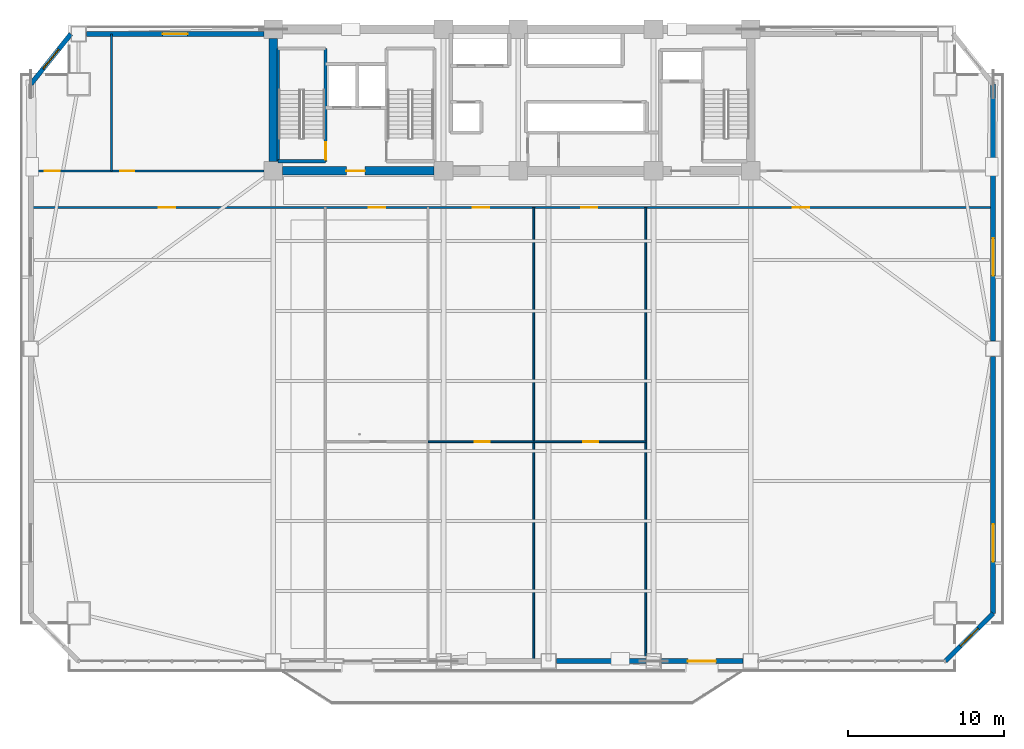
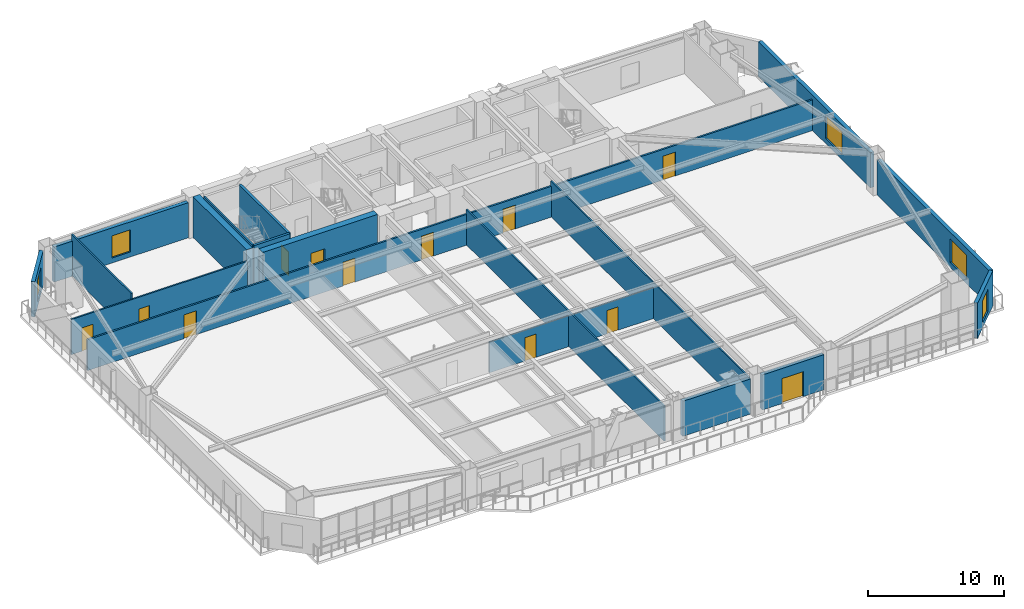
# One storey, part 8 of 16: 19 walls, 12 doors, 5 windows, 17 openings.
"""IFC4 building model written with IfcOpenShell, lengths in metres."""

from ifc_helpers import new_model, si_unit, direction, frame, frame_2d, origin, place, context, subcontext, project, spatial, rectangle, extrude, source, transform, mapped, material, layer, layer_set, type_object, element, fill, save


model = new_model("IFC4")

# Units and contexts
model_context = context("Model", 3, precision=1e-05, world=origin(), true_north=direction((0.0, 1.0)))
body_context = subcontext(model_context, "Body", "Model", "MODEL_VIEW")
ifc_project = project(units=[si_unit("LENGTHUNIT", "METRE"), si_unit("AREAUNIT", "SQUARE_METRE"), si_unit("VOLUMEUNIT", "CUBIC_METRE"), si_unit("PLANEANGLEUNIT", "RADIAN"), si_unit("MASSUNIT", "GRAM", prefix="KILO")], contexts=[model_context])

# Site, building, storey
site_placement = place(None, origin())
site = spatial("IfcSite", under=ifc_project, at=site_placement, CompositionType="ELEMENT")
building_placement = place(site_placement, origin())
building = spatial("IfcBuilding", under=site, at=building_placement, Name="Giltprow Tower", CompositionType="ELEMENT")
storey_placement = place(building_placement, frame((0.0, 0.0, 87.39990234375)))
storey = spatial("IfcBuildingStorey", under=building, at=storey_placement, Name="L21", CompositionType="ELEMENT", Elevation=87.39990234375)

# Wall, opening, window
ifc_material_1 = material(Name="Precast concrete C40", Category="concrete")
ifc_layer_1 = layer(ifc_material_1, 0.300048828125, Name="Precast concrete C40")
ifc_layer_set_1 = layer_set([ifc_layer_1], Name="Precast concrete C40")
wall_type_1 = type_object("IfcWallType", Name="EW-NOTCH-CHAMFER-300", PredefinedType="SOLIDWALL", material=ifc_layer_set_1)
wall_1_placement = place(storey_placement, frame((63.055908203125, 5.93603515625, 0.0), z_axis=(0.0, 0.0, 1.0), x_axis=(0.707106781187, 0.707106781187, 0.0)))
wall_1 = element("IfcWall", 1, at=wall_1_placement, inside=storey, type_object=wall_type_1, Name="L21 Corner Notch Wall SE", PredefinedType="SOLIDWALL", context=body_context, shape_type="SweptSolid", body=[
    extrude(rectangle(XDim=4.341796875, YDim=0.300048828125, at=frame_2d((2.1708984375, 0.0))), origin(), (0.0, 0.0, 1.0), 3.16015625),
])
opening_1_placement = place(wall_1_placement, frame((1.37109375, 0.0, 0.449951171875)))
opening_1 = element("IfcOpeningElement", 2, at=opening_1_placement, cuts=wall_1, Name="Opening WN17", PredefinedType="OPENING", context=body_context, shape_type="SweptSolid", body=[
    extrude(rectangle(XDim=1.60009765625, YDim=2.0, at=frame_2d((0.800048828125, 1.0))), frame((0.0, 0.159912109375, 0.0), z_axis=(0.0, -1.0, 0.0), x_axis=(1.0, 0.0, 0.0)), (0.0, 0.0, 1.0), 0.320068359375),
])
ifc_material_2 = material(Name="Insulated glass", Category="glass")
window_type_1 = type_object("IfcWindowType", Name="WN-COR-1600x2000", PartitioningType="SINGLE_PANEL", PredefinedType="WINDOW", material=ifc_material_2)
shared_shape_1 = source(origin(), body_context, "Body", "SweptSolid", [
    extrude(rectangle(XDim=1.60009765625, YDim=2.0, at=frame_2d((0.800048828125, 1.0))), frame((0.0, 0.030029296875, 0.0), z_axis=(0.0, -1.0, 0.0), x_axis=(1.0, 0.0, 0.0)), (0.0, 0.0, 1.0), 0.06005859375),
])
window_1_placement = place(opening_1_placement, origin())
window_1 = element("IfcWindow", 3, at=window_1_placement, inside=storey, type_object=window_type_1, Name="L21 Corner Notch Window SE", OverallHeight=2.0, OverallWidth=1.60009765625, PartitioningType="SINGLE_PANEL", PredefinedType="WINDOW", context=body_context, shape_type="MappedRepresentation", body=[
    mapped(shared_shape_1, transform((0.0, 0.0, 0.0), x_axis=(1.0, 0.0, 0.0), y_axis=(0.0, 1.0, 0.0), z_axis=(0.0, 0.0, 1.0), scale=1.0)),
])
fill(opening_1, window_1)

wall_2_placement = place(storey_placement, frame((6.844970703125, 46.25, 0.0), z_axis=(0.0, 0.0, 1.0), x_axis=(-0.623820223262, -0.781567865926, 0.0)))
wall_2 = element("IfcWall", 4, at=wall_2_placement, inside=storey, type_object=wall_type_1, Name="L21 Corner Notch Wall NW", PredefinedType="SOLIDWALL", context=body_context, shape_type="SweptSolid", body=[
    extrude(rectangle(XDim=4.119873046875, YDim=0.300048828125, at=frame_2d((2.06005859375, 0.0))), origin(), (0.0, 0.0, 1.0), 3.16015625),
])
opening_2_placement = place(wall_2_placement, frame((1.260009765625, 0.0, 0.449951171875)))
opening_2 = element("IfcOpeningElement", 5, at=opening_2_placement, cuts=wall_2, Name="Opening WN17", PredefinedType="OPENING", context=body_context, shape_type="SweptSolid", body=[
    extrude(rectangle(XDim=1.60009765625, YDim=2.0, at=frame_2d((0.800048828125, 1.0))), frame((0.0, 0.159912109375, 0.0), z_axis=(0.0, -1.0, 0.0), x_axis=(1.0, 0.0, 0.0)), (0.0, 0.0, 1.0), 0.320068359375),
])
window_2_placement = place(opening_2_placement, origin())
window_2 = element("IfcWindow", 6, at=window_2_placement, inside=storey, type_object=window_type_1, Name="L21 Corner Notch Window NW", OverallHeight=2.0, OverallWidth=1.60009765625, PartitioningType="SINGLE_PANEL", PredefinedType="WINDOW", context=body_context, shape_type="MappedRepresentation", body=[
    mapped(shared_shape_1, transform((0.0, 0.0, 0.0), x_axis=(1.0, 0.0, 0.0), y_axis=(0.0, 1.0, 0.0), z_axis=(0.0, 0.0, 1.0), scale=1.0)),
])
fill(opening_2, window_2)

# Wall
ifc_layer_2 = layer(ifc_material_1, 0.320068359375, Name="Precast concrete C40")
ifc_layer_set_2 = layer_set([ifc_layer_2], Name="Precast concrete C40")
wall_type_2 = type_object("IfcWallType", Name="EW-TOW-STONE-320", PredefinedType="SOLIDWALL", material=ifc_layer_set_2)
wall_3_placement = place(storey_placement, frame((38.050048828125, 5.93603515625, 0.0), z_axis=(0.0, 0.0, 1.0), x_axis=(1.0, 0.0, 0.0)))
element("IfcWall", 7, at=wall_3_placement, inside=storey, type_object=wall_type_2, Name="L21 South Expressed Frame Wall 4", PredefinedType="SOLIDWALL", context=body_context, shape_type="SweptSolid", body=[
    extrude(rectangle(XDim=5.75, YDim=0.320068359375, at=frame_2d((2.875, 0.0))), origin(), (0.0, 0.0, 1.0), 3.16015625),
])

# Wall, opening, door
wall_4_placement = place(storey_placement, frame((44.800048828125, 5.93603515625, 0.0), z_axis=(0.0, 0.0, 1.0), x_axis=(1.0, 0.0, 0.0)))
wall_4 = element("IfcWall", 8, at=wall_4_placement, inside=storey, type_object=wall_type_2, Name="L21 South Expressed Frame Wall 5", PredefinedType="SOLIDWALL", context=body_context, shape_type="SweptSolid", body=[
    extrude(rectangle(XDim=5.25, YDim=0.320068359375, at=frame_2d((2.625, 0.0))), origin(), (0.0, 0.0, 1.0), 3.16015625),
])
opening_3_placement = place(wall_4_placement, frame((1.699951171875, 0.0, 0.0)))
opening_3 = element("IfcOpeningElement", 9, at=opening_3_placement, cuts=wall_4, Name="Opening ED25", PredefinedType="OPENING", context=body_context, shape_type="SweptSolid", body=[
    extrude(rectangle(XDim=1.800048828125, YDim=2.25, at=frame_2d((0.89990234375, 1.125))), frame((0.0, 0.169921875, 0.0), z_axis=(0.0, -1.0, 0.0), x_axis=(1.0, 0.0, 0.0)), (0.0, 0.0, 1.0), 0.340087890625),
])
ifc_material_3 = material(Name="Anodized bronze and glass", Category="glass")
door_type_1 = type_object("IfcDoorType", Name="DR-BALC-SLIDE-1800", OperationType="SLIDING_TO_LEFT", PredefinedType="DOOR", material=ifc_material_3)
shared_shape_2 = source(origin(), body_context, "Body", "SweptSolid", [
    extrude(rectangle(XDim=1.800048828125, YDim=2.25, at=frame_2d((0.89990234375, 1.125))), frame((0.0, 0.02490234375, 0.0), z_axis=(0.0, -1.0, 0.0), x_axis=(1.0, 0.0, 0.0)), (0.0, 0.0, 1.0), 0.050048828125),
])
door_1_placement = place(opening_3_placement, origin())
door_1 = element("IfcDoor", 10, at=door_1_placement, inside=storey, type_object=door_type_1, Name="L21 Waterfront Balcony Sliding Door 2", OperationType="SLIDING_TO_LEFT", OverallHeight=2.25, OverallWidth=1.800048828125, PredefinedType="DOOR", context=body_context, shape_type="MappedRepresentation", body=[
    mapped(shared_shape_2, transform((0.0, 0.0, 0.0), x_axis=(1.0, 0.0, 0.0), y_axis=(0.0, 1.0, 0.0), z_axis=(0.0, 0.0, 1.0), scale=1.0)),
])
fill(opening_3, door_1)

# Wall, opening, window
wall_5_placement = place(storey_placement, frame((66.1259765625, 9.006103515625, 0.0), z_axis=(0.0, 0.0, 1.0), x_axis=(0.0, 1.0, 0.0)))
wall_5 = element("IfcWall", 11, at=wall_5_placement, inside=storey, type_object=wall_type_2, Name="L21 E Wing Masonry Wall 1", PredefinedType="SOLIDWALL", context=body_context, shape_type="SweptSolid", body=[
    extrude(rectangle(XDim=16.511962890625, YDim=0.320068359375, at=frame_2d((8.255859375, 0.0))), origin(), (0.0, 0.0, 1.0), 3.16015625),
])
opening_4_placement = place(wall_5_placement, frame((3.3330078125, 0.0, 0.449951171875)))
opening_4 = element("IfcOpeningElement", 12, at=opening_4_placement, cuts=wall_5, Name="Opening WN29", PredefinedType="OPENING", context=body_context, shape_type="SweptSolid", body=[
    extrude(rectangle(XDim=2.39990234375, YDim=2.10009765625, at=frame_2d((1.199951171875, 1.050048828125))), frame((0.0, 0.169921875, 0.0), z_axis=(0.0, -1.0, 0.0), x_axis=(1.0, 0.0, 0.0)), (0.0, 0.0, 1.0), 0.340087890625),
])
window_type_2 = type_object("IfcWindowType", Name="WN-OFF-2400x2100", PartitioningType="DOUBLE_PANEL_VERTICAL", PredefinedType="WINDOW", material=ifc_material_2)
shared_shape_3 = source(origin(), body_context, "Body", "SweptSolid", [
    extrude(rectangle(XDim=2.39990234375, YDim=2.10009765625, at=frame_2d((1.199951171875, 1.050048828125))), frame((0.0, 0.030029296875, 0.0), z_axis=(0.0, -1.0, 0.0), x_axis=(1.0, 0.0, 0.0)), (0.0, 0.0, 1.0), 0.06005859375),
])
window_3_placement = place(opening_4_placement, origin())
window_3 = element("IfcWindow", 13, at=window_3_placement, inside=storey, type_object=window_type_2, Name="L21 E Wing Window 1-1A", OverallHeight=2.10009765625, OverallWidth=2.39990234375, PartitioningType="SINGLE_PANEL", PredefinedType="WINDOW", context=body_context, shape_type="MappedRepresentation", body=[
    mapped(shared_shape_3, transform((0.0, 0.0, 0.0), x_axis=(1.0, 0.0, 0.0), y_axis=(0.0, 1.0, 0.0), z_axis=(0.0, 0.0, 1.0), scale=1.0)),
])
fill(opening_4, window_3)

wall_6_placement = place(storey_placement, frame((66.1259765625, 26.51806640625, 0.0), z_axis=(0.0, 0.0, 1.0), x_axis=(0.0, 1.0, 0.0)))
wall_6 = element("IfcWall", 14, at=wall_6_placement, inside=storey, type_object=wall_type_2, Name="L21 E Wing Masonry Wall 2", PredefinedType="SOLIDWALL", context=body_context, shape_type="SweptSolid", body=[
    extrude(rectangle(XDim=16.511962890625, YDim=0.320068359375, at=frame_2d((8.255859375, 0.0))), origin(), (0.0, 0.0, 1.0), 3.16015625),
])
opening_5_placement = place(wall_6_placement, frame((4.200927734375, 0.0, 0.449951171875)))
opening_5 = element("IfcOpeningElement", 15, at=opening_5_placement, cuts=wall_6, Name="Opening WN29", PredefinedType="OPENING", context=body_context, shape_type="SweptSolid", body=[
    extrude(rectangle(XDim=2.39990234375, YDim=2.10009765625, at=frame_2d((1.199951171875, 1.050048828125))), frame((0.0, 0.169921875, 0.0), z_axis=(0.0, -1.0, 0.0), x_axis=(1.0, 0.0, 0.0)), (0.0, 0.0, 1.0), 0.340087890625),
])
window_4_placement = place(opening_5_placement, origin())
window_4 = element("IfcWindow", 16, at=window_4_placement, inside=storey, type_object=window_type_2, Name="L21 E Wing Window 2-1", OverallHeight=2.10009765625, OverallWidth=2.39990234375, PartitioningType="SINGLE_PANEL", PredefinedType="WINDOW", context=body_context, shape_type="MappedRepresentation", body=[
    mapped(shared_shape_3, transform((0.0, 0.0, 0.0), x_axis=(1.0, 0.0, 0.0), y_axis=(0.0, 1.0, 0.0), z_axis=(0.0, 0.0, 1.0), scale=1.0)),
])
fill(opening_5, window_4)

wall_7_placement = place(storey_placement, frame((7.844970703125, 46.25, 0.0), z_axis=(0.0, 0.0, 1.0), x_axis=(1.0, 0.0, 0.0)))
wall_7 = element("IfcWall", 17, at=wall_7_placement, inside=storey, type_object=wall_type_2, Name="L21 North-West Wing Wall", PredefinedType="SOLIDWALL", context=body_context, shape_type="SweptSolid", body=[
    extrude(rectangle(XDim=11.405029296875, YDim=0.320068359375, at=frame_2d((5.70263671875, 0.0))), origin(), (0.0, 0.0, 1.0), 3.16015625),
])
opening_6_placement = place(wall_7_placement, frame((4.903076171875, 0.0, 0.449951171875)))
opening_6 = element("IfcOpeningElement", 18, at=opening_6_placement, cuts=wall_7, Name="Opening WN17", PredefinedType="OPENING", context=body_context, shape_type="SweptSolid", body=[
    extrude(rectangle(XDim=1.60009765625, YDim=2.0, at=frame_2d((0.800048828125, 1.0))), frame((0.0, 0.169921875, 0.0), z_axis=(0.0, -1.0, 0.0), x_axis=(1.0, 0.0, 0.0)), (0.0, 0.0, 1.0), 0.340087890625),
])
window_5_placement = place(opening_6_placement, origin())
window_5 = element("IfcWindow", 19, at=window_5_placement, inside=storey, type_object=window_type_1, Name="L21 North-West Window", OverallHeight=2.0, OverallWidth=1.60009765625, PartitioningType="SINGLE_PANEL", PredefinedType="WINDOW", context=body_context, shape_type="MappedRepresentation", body=[
    mapped(shared_shape_1, transform((0.0, 0.0, 0.0), x_axis=(1.0, 0.0, 0.0), y_axis=(0.0, 1.0, 0.0), z_axis=(0.0, 0.0, 1.0), scale=1.0)),
])
fill(opening_6, window_5)

# Wall, openings, doors
ifc_material_4 = material(Name="Gypsum stud partition", Category="gypsum")
ifc_layer_3 = layer(ifc_material_4, 0.14990234375, Name="Gypsum stud partition")
ifc_layer_set_3 = layer_set([ifc_layer_3], Name="Gypsum stud partition")
wall_type_3 = type_object("IfcWallType", Name="IW-CORR-150", PredefinedType="PARTITIONING", material=ifc_layer_set_3)
wall_8_placement = place(storey_placement, frame((4.27490234375, 35.10009765625, 0.0), z_axis=(0.0, 0.0, 1.0), x_axis=(1.0, 0.0, 0.0)))
wall_8 = element("IfcWall", 20, at=wall_8_placement, inside=storey, type_object=wall_type_3, Name="L21 Office Loop Corridor Wall", PredefinedType="PARTITIONING", context=body_context, shape_type="SweptSolid", body=[
    extrude(rectangle(XDim=61.85107421875, YDim=0.14990234375, at=frame_2d((30.925537109375, 0.0))), origin(), (0.0, 0.0, 1.0), 2.76513671875),
])
opening_7_placement = place(wall_8_placement, frame((8.22705078125, 0.0, 0.0)))
opening_7 = element("IfcOpeningElement", 21, at=opening_7_placement, cuts=wall_8, Name="Opening ID31", PredefinedType="OPENING", context=body_context, shape_type="SweptSolid", body=[
    extrude(rectangle(XDim=1.050048828125, YDim=2.14990234375, at=frame_2d((0.52490234375, 1.074951171875))), frame((0.0, 0.0849609375, 0.0), z_axis=(0.0, -1.0, 0.0), x_axis=(1.0, 0.0, 0.0)), (0.0, 0.0, 1.0), 0.169921875),
])
opening_8_placement = place(wall_8_placement, frame((21.73095703125, 0.0, 0.0)))
opening_8 = element("IfcOpeningElement", 22, at=opening_8_placement, cuts=wall_8, Name="Opening ID31", PredefinedType="OPENING", context=body_context, shape_type="SweptSolid", body=[
    extrude(rectangle(XDim=1.050048828125, YDim=2.14990234375, at=frame_2d((0.52490234375, 1.074951171875))), frame((0.0, 0.0849609375, 0.0), z_axis=(0.0, -1.0, 0.0), x_axis=(1.0, 0.0, 0.0)), (0.0, 0.0, 1.0), 0.169921875),
])
opening_9_placement = place(wall_8_placement, frame((28.410888671875, 0.0, 0.0)))
opening_9 = element("IfcOpeningElement", 23, at=opening_9_placement, cuts=wall_8, Name="Opening ID31", PredefinedType="OPENING", context=body_context, shape_type="SweptSolid", body=[
    extrude(rectangle(XDim=1.050048828125, YDim=2.14990234375, at=frame_2d((0.52490234375, 1.074951171875))), frame((0.0, 0.0849609375, 0.0), z_axis=(0.0, -1.0, 0.0), x_axis=(1.0, 0.0, 0.0)), (0.0, 0.0, 1.0), 0.169921875),
])
opening_10_placement = place(wall_8_placement, frame((35.37109375, 0.0, 0.0)))
opening_10 = element("IfcOpeningElement", 24, at=opening_10_placement, cuts=wall_8, Name="Opening ID31", PredefinedType="OPENING", context=body_context, shape_type="SweptSolid", body=[
    extrude(rectangle(XDim=1.050048828125, YDim=2.14990234375, at=frame_2d((0.52490234375, 1.074951171875))), frame((0.0, 0.0849609375, 0.0), z_axis=(0.0, -1.0, 0.0), x_axis=(1.0, 0.0, 0.0)), (0.0, 0.0, 1.0), 0.169921875),
])
opening_11_placement = place(wall_8_placement, frame((48.98095703125, 0.0, 0.0)))
opening_11 = element("IfcOpeningElement", 25, at=opening_11_placement, cuts=wall_8, Name="Opening ID31", PredefinedType="OPENING", context=body_context, shape_type="SweptSolid", body=[
    extrude(rectangle(XDim=1.050048828125, YDim=2.14990234375, at=frame_2d((0.52490234375, 1.074951171875))), frame((0.0, 0.0849609375, 0.0), z_axis=(0.0, -1.0, 0.0), x_axis=(1.0, 0.0, 0.0)), (0.0, 0.0, 1.0), 0.169921875),
])
ifc_material_5 = material(Name="Engineered timber", Category="wood")
door_type_2 = type_object("IfcDoorType", Name="DR-SUITE-1050", OperationType="SINGLE_SWING_LEFT", PredefinedType="DOOR", material=ifc_material_5)
shared_shape_4 = source(origin(), body_context, "Body", "SweptSolid", [
    extrude(rectangle(XDim=1.050048828125, YDim=2.14990234375, at=frame_2d((0.52490234375, 1.074951171875))), frame((0.0, 0.02490234375, 0.0), z_axis=(0.0, -1.0, 0.0), x_axis=(1.0, 0.0, 0.0)), (0.0, 0.0, 1.0), 0.050048828125),
])
door_2_placement = place(opening_7_placement, origin())
door_2 = element("IfcDoor", 26, at=door_2_placement, inside=storey, type_object=door_type_2, Name="L21 Barista Test Kitchen 1 Door", OperationType="SINGLE_SWING_RIGHT", OverallHeight=2.14990234375, OverallWidth=1.050048828125, PredefinedType="DOOR", context=body_context, shape_type="MappedRepresentation", body=[
    mapped(shared_shape_4, transform((0.0, 0.0, 0.0), x_axis=(1.0, 0.0, 0.0), y_axis=(0.0, 1.0, 0.0), z_axis=(0.0, 0.0, 1.0), scale=1.0)),
])
fill(opening_7, door_2)
door_3_placement = place(opening_8_placement, origin())
door_3 = element("IfcDoor", 27, at=door_3_placement, inside=storey, type_object=door_type_2, Name="L21 Suite Reception Foyer Door", OperationType="SINGLE_SWING_LEFT", OverallHeight=2.14990234375, OverallWidth=1.050048828125, PredefinedType="DOOR", context=body_context, shape_type="MappedRepresentation", body=[
    mapped(shared_shape_4, transform((0.0, 0.0, 0.0), x_axis=(1.0, 0.0, 0.0), y_axis=(0.0, 1.0, 0.0), z_axis=(0.0, 0.0, 1.0), scale=1.0)),
])
fill(opening_8, door_3)
door_4_placement = place(opening_9_placement, origin())
door_4 = element("IfcDoor", 28, at=door_4_placement, inside=storey, type_object=door_type_2, Name="L21 Suite Reception Foyer Door", OperationType="SINGLE_SWING_LEFT", OverallHeight=2.14990234375, OverallWidth=1.050048828125, PredefinedType="DOOR", context=body_context, shape_type="MappedRepresentation", body=[
    mapped(shared_shape_4, transform((0.0, 0.0, 0.0), x_axis=(1.0, 0.0, 0.0), y_axis=(0.0, 1.0, 0.0), z_axis=(0.0, 0.0, 1.0), scale=1.0)),
])
fill(opening_9, door_4)
door_5_placement = place(opening_10_placement, origin())
door_5 = element("IfcDoor", 29, at=door_5_placement, inside=storey, type_object=door_type_2, Name="L21 Suite Reception Foyer Door", OperationType="SINGLE_SWING_LEFT", OverallHeight=2.14990234375, OverallWidth=1.050048828125, PredefinedType="DOOR", context=body_context, shape_type="MappedRepresentation", body=[
    mapped(shared_shape_4, transform((0.0, 0.0, 0.0), x_axis=(1.0, 0.0, 0.0), y_axis=(0.0, 1.0, 0.0), z_axis=(0.0, 0.0, 1.0), scale=1.0)),
])
fill(opening_10, door_5)
door_6_placement = place(opening_11_placement, origin())
door_6 = element("IfcDoor", 30, at=door_6_placement, inside=storey, type_object=door_type_2, Name="L21 Harbour Reading Lounge Door", OperationType="SINGLE_SWING_LEFT", OverallHeight=2.14990234375, OverallWidth=1.050048828125, PredefinedType="DOOR", context=body_context, shape_type="MappedRepresentation", body=[
    mapped(shared_shape_4, transform((0.0, 0.0, 0.0), x_axis=(1.0, 0.0, 0.0), y_axis=(0.0, 1.0, 0.0), z_axis=(0.0, 0.0, 1.0), scale=1.0)),
])
fill(opening_11, door_6)

# Wall, opening, door
ifc_layer_4 = layer(ifc_material_4, 0.1201171875, Name="Gypsum stud partition")
ifc_layer_set_4 = layer_set([ifc_layer_4], Name="Gypsum stud partition")
wall_type_4 = type_object("IfcWallType", Name="IW-ROOM-120", PredefinedType="PARTITIONING", material=ifc_layer_set_4)
wall_9_placement = place(storey_placement, frame((29.800048828125, 20.0390625, 0.0), z_axis=(0.0, 0.0, 1.0), x_axis=(1.0, 0.0, 0.0)))
wall_9 = element("IfcWall", 31, at=wall_9_placement, inside=storey, type_object=wall_type_4, Name="L21 Office Mid Wall 3", PredefinedType="PARTITIONING", context=body_context, shape_type="SweptSolid", body=[
    extrude(rectangle(XDim=6.800048828125, YDim=0.1201171875, at=frame_2d((3.39990234375, 0.0))), origin(), (0.0, 0.0, 1.0), 2.76513671875),
])
opening_12_placement = place(wall_9_placement, frame((3.01904296875, 0.0, 0.0)))
opening_12 = element("IfcOpeningElement", 32, at=opening_12_placement, cuts=wall_9, Name="Opening ID11", PredefinedType="OPENING", context=body_context, shape_type="SweptSolid", body=[
    extrude(rectangle(XDim=0.949951171875, YDim=2.10009765625, at=frame_2d((0.47509765625, 1.050048828125))), frame((0.0, 0.070068359375, 0.0), z_axis=(0.0, -1.0, 0.0), x_axis=(1.0, 0.0, 0.0)), (0.0, 0.0, 1.0), 0.14013671875),
])
door_type_3 = type_object("IfcDoorType", Name="DR-ROOM-950", OperationType="SINGLE_SWING_RIGHT", PredefinedType="DOOR", material=ifc_material_5)
shared_shape_5 = source(origin(), body_context, "Body", "SweptSolid", [
    extrude(rectangle(XDim=0.949951171875, YDim=2.10009765625, at=frame_2d((0.47509765625, 1.050048828125))), frame((0.0, 0.02490234375, 0.0), z_axis=(0.0, -1.0, 0.0), x_axis=(1.0, 0.0, 0.0)), (0.0, 0.0, 1.0), 0.050048828125),
])
door_7_placement = place(opening_12_placement, origin())
door_7 = element("IfcDoor", 33, at=door_7_placement, inside=storey, type_object=door_type_3, Name="L21 Pastry Tasting Kitchen 3 Inner Door", OperationType="SINGLE_SWING_RIGHT", OverallHeight=2.10009765625, OverallWidth=0.949951171875, PredefinedType="DOOR", context=body_context, shape_type="MappedRepresentation", body=[
    mapped(shared_shape_5, transform((0.0, 0.0, 0.0), x_axis=(1.0, 0.0, 0.0), y_axis=(0.0, 1.0, 0.0), z_axis=(0.0, 0.0, 1.0), scale=1.0)),
])
fill(opening_12, door_7)

# Wall
wall_10_placement = place(storey_placement, frame((36.60009765625, 5.93603515625, 0.0), z_axis=(0.0, 0.0, 1.0), x_axis=(0.0, 1.0, 0.0)))
element("IfcWall", 34, at=wall_10_placement, inside=storey, type_object=wall_type_4, Name="L21 Office Partition 3", PredefinedType="PARTITIONING", context=body_context, shape_type="SweptSolid", body=[
    extrude(rectangle(XDim=29.1640625, YDim=0.1201171875, at=frame_2d((14.58203125, 0.0))), origin(), (0.0, 0.0, 1.0), 3.1650390625),
])

# Wall, opening, door
wall_11_placement = place(storey_placement, frame((36.60009765625, 20.0390625, 0.0), z_axis=(0.0, 0.0, 1.0), x_axis=(1.0, 0.0, 0.0)))
wall_11 = element("IfcWall", 35, at=wall_11_placement, inside=storey, type_object=wall_type_4, Name="L21 Office Mid Wall 4", PredefinedType="PARTITIONING", context=body_context, shape_type="SweptSolid", body=[
    extrude(rectangle(XDim=7.199951171875, YDim=0.1201171875, at=frame_2d((3.60009765625, 0.0))), origin(), (0.0, 0.0, 1.0), 2.76513671875),
])
opening_13_placement = place(wall_11_placement, frame((3.18701171875, 0.0, 0.0)))
opening_13 = element("IfcOpeningElement", 36, at=opening_13_placement, cuts=wall_11, Name="Opening ID11", PredefinedType="OPENING", context=body_context, shape_type="SweptSolid", body=[
    extrude(rectangle(XDim=0.949951171875, YDim=2.10009765625, at=frame_2d((0.47509765625, 1.050048828125))), frame((0.0, 0.070068359375, 0.0), z_axis=(0.0, -1.0, 0.0), x_axis=(1.0, 0.0, 0.0)), (0.0, 0.0, 1.0), 0.14013671875),
])
door_8_placement = place(opening_13_placement, origin())
door_8 = element("IfcDoor", 37, at=door_8_placement, inside=storey, type_object=door_type_3, Name="L21 Tea Ceremony Kitchen 4 Inner Door", OperationType="SINGLE_SWING_RIGHT", OverallHeight=2.10009765625, OverallWidth=0.949951171875, PredefinedType="DOOR", context=body_context, shape_type="MappedRepresentation", body=[
    mapped(shared_shape_5, transform((0.0, 0.0, 0.0), x_axis=(1.0, 0.0, 0.0), y_axis=(0.0, 1.0, 0.0), z_axis=(0.0, 0.0, 1.0), scale=1.0)),
])
fill(opening_13, door_8)

# Walls
wall_12_placement = place(storey_placement, frame((43.800048828125, 5.93603515625, 0.0), z_axis=(0.0, 0.0, 1.0), x_axis=(0.0, 1.0, 0.0)))
element("IfcWall", 38, at=wall_12_placement, inside=storey, type_object=wall_type_4, Name="L21 Office Partition 4", PredefinedType="PARTITIONING", context=body_context, shape_type="SweptSolid", body=[
    extrude(rectangle(XDim=29.1640625, YDim=0.1201171875, at=frame_2d((14.58203125, 0.0))), origin(), (0.0, 0.0, 1.0), 3.215087890625),
])
ifc_material_6 = material(Name="Concrete C45", Category="concrete")
ifc_layer_5 = layer(ifc_material_6, 0.139892578125, Name="Concrete C45")
ifc_layer_set_5 = layer_set([ifc_layer_5], Name="Concrete C45")
wall_type_5 = type_object("IfcWallType", Name="IW-STAIR-140", PredefinedType="SOLIDWALL", material=ifc_layer_set_5)
wall_13_placement = place(storey_placement, frame((20.169921875, 38.070068359375, 0.0), z_axis=(0.0, 0.0, 1.0), x_axis=(0.0, 1.0, 0.0)))
element("IfcWall", 39, at=wall_13_placement, inside=storey, type_object=wall_type_5, Name="L21 Stair ST-1 West Bearing Wall", PredefinedType="SOLIDWALL", context=body_context, shape_type="SweptSolid", body=[
    extrude(rectangle(XDim=7.25, YDim=0.139892578125, at=frame_2d((3.625, 0.0))), origin(), (0.0, 0.0, 1.0), 3.900146484375),
])

# Wall, opening, door
ifc_material_7 = material(Name="Concrete C40", Category="concrete")
ifc_layer_6 = layer(ifc_material_7, 0.199951171875, Name="Concrete C40")
ifc_layer_set_6 = layer_set([ifc_layer_6], Name="Concrete C40")
wall_type_6 = type_object("IfcWallType", Name="IW-STAIR-200", PredefinedType="SOLIDWALL", material=ifc_layer_set_6)
wall_14_placement = place(storey_placement, frame((23.219970703125, 38.070068359375, 0.0), z_axis=(0.0, 0.0, 1.0), x_axis=(0.0, 1.0, 0.0)))
wall_14 = element("IfcWall", 40, at=wall_14_placement, inside=storey, type_object=wall_type_6, Name="L21 Stair ST-1 East Bearing Wall", PredefinedType="SOLIDWALL", context=body_context, shape_type="SweptSolid", body=[
    extrude(rectangle(XDim=7.25, YDim=0.199951171875, at=frame_2d((3.625, 0.0))), origin(), (0.0, 0.0, 1.0), 3.900146484375),
])
opening_14_placement = place(wall_14_placement, frame((0.110107421875, 0.0, 0.0)))
opening_14 = element("IfcOpeningElement", 41, at=opening_14_placement, cuts=wall_14, Name="Opening ID33", PredefinedType="OPENING", context=body_context, shape_type="SweptSolid", body=[
    extrude(rectangle(XDim=1.10009765625, YDim=2.14990234375, at=frame_2d((0.550048828125, 1.074951171875))), frame((0.0, 0.10986328125, 0.0), z_axis=(0.0, -1.0, 0.0), x_axis=(1.0, 0.0, 0.0)), (0.0, 0.0, 1.0), 0.219970703125),
])
ifc_material_8 = material(Name="Steel fire leaf", Category="steel")
door_type_4 = type_object("IfcDoorType", Name="DR-STAIR-1100", OperationType="SINGLE_SWING_LEFT", PredefinedType="DOOR", material=ifc_material_8)
shared_shape_6 = source(origin(), body_context, "Body", "SweptSolid", [
    extrude(rectangle(XDim=1.10009765625, YDim=2.14990234375, at=frame_2d((0.550048828125, 1.074951171875))), frame((0.0, 0.02490234375, 0.0), z_axis=(0.0, -1.0, 0.0), x_axis=(1.0, 0.0, 0.0)), (0.0, 0.0, 1.0), 0.050048828125),
])
door_9_placement = place(opening_14_placement, origin())
door_9 = element("IfcDoor", 42, at=door_9_placement, inside=storey, type_object=door_type_4, Name="L21 Stair ST-1 Fire Door", OperationType="SINGLE_SWING_LEFT", OverallHeight=2.14990234375, OverallWidth=1.10009765625, PredefinedType="DOOR", context=body_context, shape_type="MappedRepresentation", body=[
    mapped(shared_shape_6, transform((0.0, 0.0, 0.0), x_axis=(1.0, 0.0, 0.0), y_axis=(0.0, 1.0, 0.0), z_axis=(0.0, 0.0, 1.0), scale=1.0)),
])
fill(opening_14, door_9)

# Wall
wall_15_placement = place(storey_placement, frame((20.169921875, 38.070068359375, 0.0), z_axis=(0.0, 0.0, 1.0), x_axis=(1.0, 0.0, 0.0)))
element("IfcWall", 43, at=wall_15_placement, inside=storey, type_object=wall_type_6, Name="L21 Stair ST-1 South Bearing Wall", PredefinedType="SOLIDWALL", context=body_context, shape_type="SweptSolid", body=[
    extrude(rectangle(XDim=3.050048828125, YDim=0.199951171875, at=frame_2d((1.52490234375, 0.0))), origin(), (0.0, 0.0, 1.0), 3.900146484375),
])

# Wall, openings, doors
ifc_material_9 = material(Name="Concrete C30", Category="concrete")
ifc_layer_7 = layer(ifc_material_9, 0.1298828125, Name="Concrete C30")
ifc_layer_set_7 = layer_set([ifc_layer_7], Name="Concrete C30")
wall_type_7 = type_object("IfcWallType", Name="IW-WET-130", PredefinedType="PARTITIONING", material=ifc_layer_set_7)
wall_16_placement = place(storey_placement, frame((4.27490234375, 37.449951171875, 0.0), z_axis=(0.0, 0.0, 1.0), x_axis=(1.0, 0.0, 0.0)))
wall_16 = element("IfcWall", 44, at=wall_16_placement, inside=storey, type_object=wall_type_7, Name="L21 NW Wing South Wall", PredefinedType="PARTITIONING", context=body_context, shape_type="SweptSolid", body=[
    extrude(rectangle(XDim=14.97509765625, YDim=0.1298828125, at=frame_2d((7.487548828125, 0.0))), origin(), (0.0, 0.0, 1.0), 3.1650390625),
])
opening_15_placement = place(wall_16_placement, frame((0.89990234375, 0.0, 0.0)))
opening_15 = element("IfcOpeningElement", 45, at=opening_15_placement, cuts=wall_16, Name="Opening ID11", PredefinedType="OPENING", context=body_context, shape_type="SweptSolid", body=[
    extrude(rectangle(XDim=0.949951171875, YDim=2.10009765625, at=frame_2d((0.47509765625, 1.050048828125))), frame((0.0, 0.074951171875, 0.0), z_axis=(0.0, -1.0, 0.0), x_axis=(1.0, 0.0, 0.0)), (0.0, 0.0, 1.0), 0.14990234375),
])
opening_16_placement = place(wall_16_placement, frame((5.739013671875, 0.0, 0.0)))
opening_16 = element("IfcOpeningElement", 46, at=opening_16_placement, cuts=wall_16, Name="Opening ID15", PredefinedType="OPENING", context=body_context, shape_type="SweptSolid", body=[
    extrude(rectangle(XDim=0.89990234375, YDim=2.10009765625, at=frame_2d((0.449951171875, 1.050048828125))), frame((0.0, 0.074951171875, 0.0), z_axis=(0.0, -1.0, 0.0), x_axis=(1.0, 0.0, 0.0)), (0.0, 0.0, 1.0), 0.14990234375),
])
door_type_5 = type_object("IfcDoorType", Name="DR-WC-900", OperationType="SINGLE_SWING_LEFT", PredefinedType="DOOR", material=ifc_material_5)
shared_shape_7 = source(origin(), body_context, "Body", "SweptSolid", [
    extrude(rectangle(XDim=0.89990234375, YDim=2.10009765625, at=frame_2d((0.449951171875, 1.050048828125))), frame((0.0, 0.02490234375, 0.0), z_axis=(0.0, -1.0, 0.0), x_axis=(1.0, 0.0, 0.0)), (0.0, 0.0, 1.0), 0.050048828125),
])
door_10_placement = place(opening_16_placement, origin())
door_10 = element("IfcDoor", 47, at=door_10_placement, inside=storey, type_object=door_type_5, Name="L21 NW Washroom Door", OperationType="SINGLE_SWING_LEFT", OverallHeight=2.10009765625, OverallWidth=0.89990234375, PredefinedType="DOOR", context=body_context, shape_type="MappedRepresentation", body=[
    mapped(shared_shape_7, transform((0.0, 0.0, 0.0), x_axis=(1.0, 0.0, 0.0), y_axis=(0.0, 1.0, 0.0), z_axis=(0.0, 0.0, 1.0), scale=1.0)),
])
fill(opening_16, door_10)
door_11_placement = place(opening_15_placement, origin())
door_11 = element("IfcDoor", 48, at=door_11_placement, inside=storey, type_object=door_type_3, Name="L21 West Tenant Office West Door", OperationType="SINGLE_SWING_RIGHT", OverallHeight=2.10009765625, OverallWidth=0.949951171875, PredefinedType="DOOR", context=body_context, shape_type="MappedRepresentation", body=[
    mapped(shared_shape_5, transform((0.0, 0.0, 0.0), x_axis=(1.0, 0.0, 0.0), y_axis=(0.0, 1.0, 0.0), z_axis=(0.0, 0.0, 1.0), scale=1.0)),
])
fill(opening_15, door_11)

# Wall
wall_17_placement = place(storey_placement, frame((9.464111328125, 37.449951171875, 0.0), z_axis=(0.0, 0.0, 1.0), x_axis=(0.0, 1.0, 0.0)))
element("IfcWall", 49, at=wall_17_placement, inside=storey, type_object=wall_type_7, Name="L21 NW Wing Divider", PredefinedType="PARTITIONING", context=body_context, shape_type="SweptSolid", body=[
    extrude(rectangle(XDim=8.800048828125, YDim=0.1298828125, at=frame_2d((4.39990234375, 0.0))), origin(), (0.0, 0.0, 1.0), 3.68017578125),
])

# Wall, opening, door
ifc_material_10 = material(Name="Concrete C60", Category="concrete")
ifc_layer_8 = layer(ifc_material_10, 0.550048828125, Name="Concrete C60")
ifc_layer_set_8 = layer_set([ifc_layer_8], Name="Concrete C60")
wall_type_8 = type_object("IfcWallType", Name="SW-INT-550-C60", PredefinedType="SHEAR", material=ifc_layer_set_8)
wall_18_placement = place(storey_placement, frame((20.449951171875, 37.449951171875, 0.0), z_axis=(0.0, 0.0, 1.0), x_axis=(1.0, 0.0, 0.0)))
wall_18 = element("IfcWall", 50, at=wall_18_placement, inside=storey, type_object=wall_type_8, Name="L21 South Rear Core Shear Wall West", PredefinedType="SHEAR", context=body_context, shape_type="SweptSolid", body=[
    extrude(rectangle(XDim=9.75, YDim=0.550048828125, at=frame_2d((4.875, 0.0))), origin(), (0.0, 0.0, 1.0), 3.68017578125),
])
opening_17_placement = place(wall_18_placement, frame((4.10009765625, 0.0, 0.0)))
opening_17 = element("IfcOpeningElement", 51, at=opening_17_placement, cuts=wall_18, Name="Opening ID19", PredefinedType="OPENING", context=body_context, shape_type="SweptSolid", body=[
    extrude(rectangle(XDim=1.199951171875, YDim=2.14990234375, at=frame_2d((0.60009765625, 1.074951171875))), frame((0.0, 0.284912109375, 0.0), z_axis=(0.0, -1.0, 0.0), x_axis=(1.0, 0.0, 0.0)), (0.0, 0.0, 1.0), 0.570068359375),
])
door_type_6 = type_object("IfcDoorType", Name="DR-FFLOBBY-1200", OperationType="SINGLE_SWING_RIGHT", PredefinedType="DOOR", material=ifc_material_8)
shared_shape_8 = source(origin(), body_context, "Body", "SweptSolid", [
    extrude(rectangle(XDim=1.199951171875, YDim=2.14990234375, at=frame_2d((0.60009765625, 1.074951171875))), frame((0.0, 0.02490234375, 0.0), z_axis=(0.0, -1.0, 0.0), x_axis=(1.0, 0.0, 0.0)), (0.0, 0.0, 1.0), 0.050048828125),
])
door_12_placement = place(opening_17_placement, origin())
door_12 = element("IfcDoor", 52, at=door_12_placement, inside=storey, type_object=door_type_6, Name="L21 West Firefighting Lobby Entry Door", OperationType="SINGLE_SWING_RIGHT", OverallHeight=2.14990234375, OverallWidth=1.199951171875, PredefinedType="DOOR", context=body_context, shape_type="MappedRepresentation", body=[
    mapped(shared_shape_8, transform((0.0, 0.0, 0.0), x_axis=(1.0, 0.0, 0.0), y_axis=(0.0, 1.0, 0.0), z_axis=(0.0, 0.0, 1.0), scale=1.0)),
])
fill(opening_17, door_12)

# Wall
wall_19_placement = place(storey_placement, frame((19.85009765625, 38.050048828125, 0.0), z_axis=(0.0, 0.0, 1.0), x_axis=(0.0, 1.0, 0.0)))
element("IfcWall", 53, at=wall_19_placement, inside=storey, type_object=wall_type_8, Name="L21 W Rear Core Shear Wall", PredefinedType="SHEAR", context=body_context, shape_type="SweptSolid", body=[
    extrude(rectangle(XDim=7.89990234375, YDim=0.550048828125, at=frame_2d((3.949951171875, 0.0))), origin(), (0.0, 0.0, 1.0), 3.68017578125),
])

save(model, "model.ifc")
